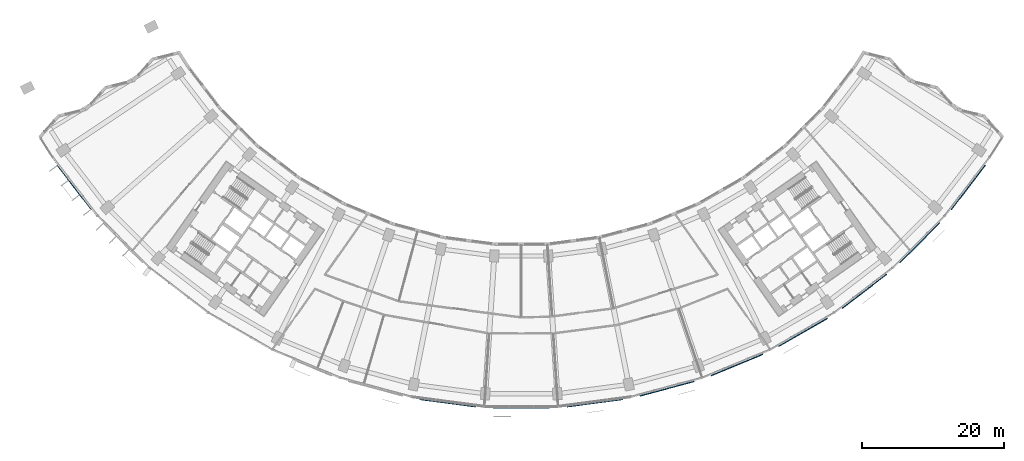
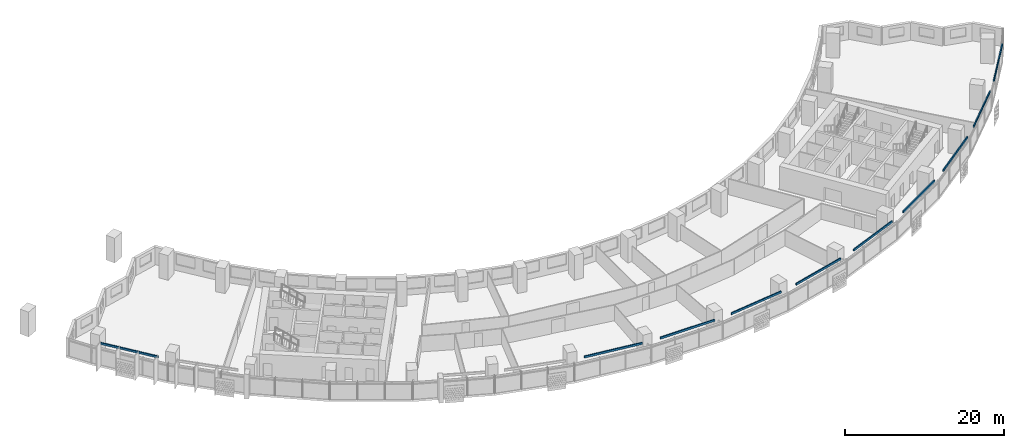
# One storey, part 9 of 31: 10 discrete accessories.
"""IFC4 building model written with IfcOpenShell, lengths in metres."""

from ifc_helpers import new_model, si_unit, direction, frame, origin, origin_2d, place, context, subcontext, project, spatial, rectangle, extrude, material, type_object, element, save


model = new_model("IFC4")

# Units and contexts
model_context = context("Model", 3, precision=1e-05, world=origin(), true_north=direction((0.0, 1.0)))
body_context = subcontext(model_context, "Body", "Model", "MODEL_VIEW")
ifc_project = project(units=[si_unit("LENGTHUNIT", "METRE"), si_unit("AREAUNIT", "SQUARE_METRE"), si_unit("VOLUMEUNIT", "CUBIC_METRE"), si_unit("PLANEANGLEUNIT", "RADIAN"), si_unit("MASSUNIT", "GRAM", prefix="KILO")], contexts=[model_context])

# Site, building, storey
site_placement = place(None, origin())
site = spatial("IfcSite", under=ifc_project, at=site_placement, CompositionType="ELEMENT")
building_placement = place(site_placement, origin())
building = spatial("IfcBuilding", under=site, at=building_placement, Name="Qamariyya Broadcast Tower", CompositionType="ELEMENT")
storey_placement = place(building_placement, frame((0.0, 0.0, 82.300048828125)))
storey = spatial("IfcBuildingStorey", under=building, at=storey_placement, Name="L17", CompositionType="ELEMENT", Elevation=82.300048828125)

# Discrete accessories
ifc_material = material(Name="Stainless steel 316", Category="steel")
discrete_accessory_type = type_object("IfcDiscreteAccessoryType", Name="Slab edge fixing angle, stainless steel", PredefinedType="BRACKET", material=ifc_material)
for number, where, z_axis, x_axis, name in (
    (1, (-63.11474609375, -48.4296875, 3.2998046875), (0.0, 0.0, 1.0), (0.608761429009, -0.793353340291, 0.0), "e-br-L17-01-0"),
    (2, (-10.384033203125, -78.873779296875, 3.2998046875), (0.0, 0.0, 1.0), (0.991444861374, -0.13052619222, 0.0), "e-br-L17-07-0"),
    (3, (0.0, -79.554443359375, 3.2998046875), (0.0, 0.0, 1.0), (1.0, 0.0, 0.0), "e-br-L17-08-0"),
    (4, (10.384033203125, -78.873779296875, 3.2998046875), (0.0, 0.0, 1.0), (0.991444861374, 0.13052619222, 0.0), "e-br-L17-09-0"),
    (5, (20.59033203125, -76.84375, 3.2998046875), (0.0, 0.0, 1.0), (0.965925826289, 0.258819045103, 0.0), "e-br-L17-10-0"),
    (6, (30.444091796875, -73.498779296875, 3.2998046875), (0.0, 0.0, 1.0), (0.923879532511, 0.382683432365, 0.0), "e-br-L17-11-0"),
    (7, (39.77734375, -68.896240234375, 3.2998046875), (0.0, 0.0, 1.0), (0.866025403784, 0.5, 0.0), "e-br-L17-12-0"),
    (8, (48.4296875, -63.11474609375, 3.2998046875), (0.0, 0.0, 1.0), (0.793353340291, 0.608761429009, 0.0), "e-br-L17-13-0"),
    (9, (56.25341796875, -56.25341796875, 3.2998046875), (0.0, 0.0, 1.0), (0.707106781187, 0.707106781187, 0.0), "e-br-L17-14-0"),
    (10, (63.11474609375, -48.4296875, 3.2998046875), (0.0, 0.0, 1.0), (0.608761429009, 0.793353340291, 0.0), "e-br-L17-15-0"),
):
    element("IfcDiscreteAccessory", number, at=place(storey_placement, frame(where, z_axis=z_axis, x_axis=x_axis)), inside=storey, type_object=discrete_accessory_type, Name=name, PredefinedType="BRACKET", context=body_context, shape_type="SweptSolid", body=[
        extrude(rectangle(XDim=7.9140625, YDim=0.14990234375, at=origin_2d()), origin(), (0.0, 0.0, 1.0), 0.300048828125),
    ])

save(model, "model.ifc")
